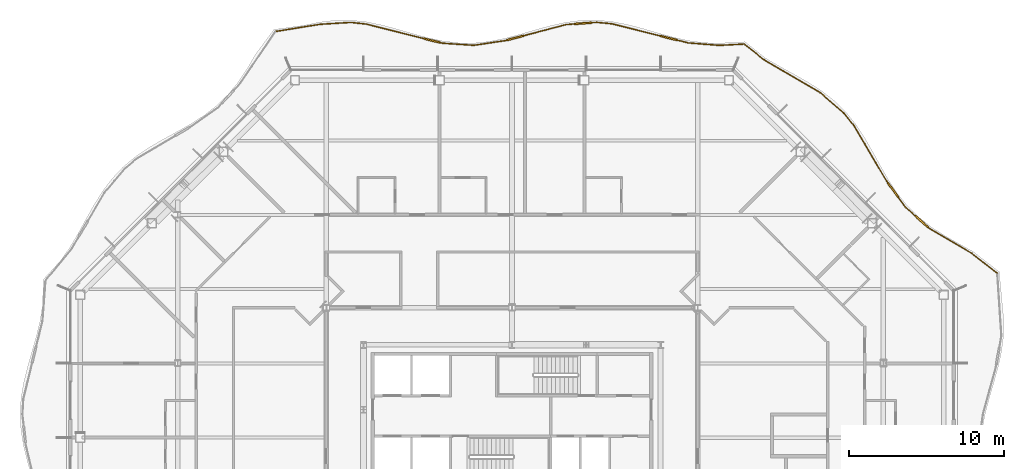
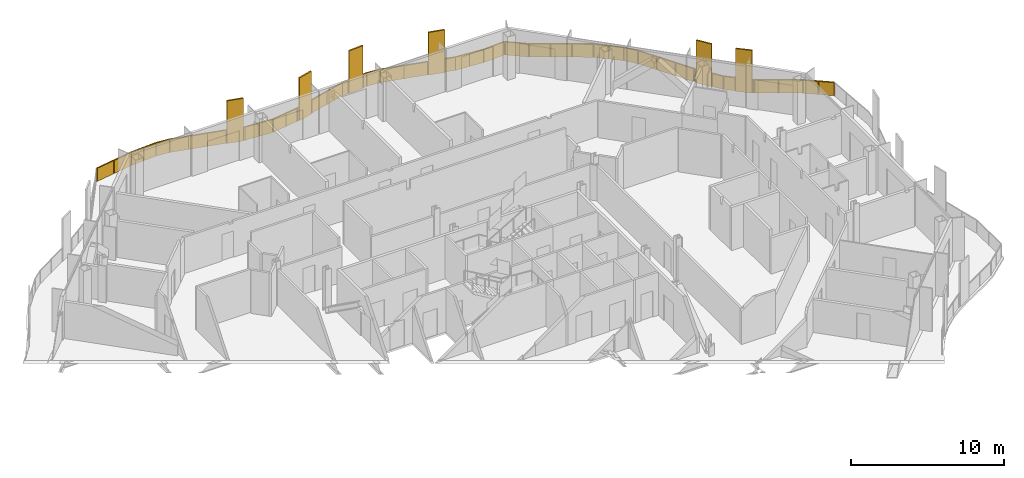
# One storey, part 20 of 20: 2 railings.
"""IFC4 building model written with IfcOpenShell, lengths in metres."""

import ifcopenshell
import ifcopenshell.guid

model = None  # the IFC model being written
_history = None  # IfcOwnerHistory: only IFC2X3 demands one
_inside = {}  # id of a spatial element -> (the spatial element, [elements in it])
_under = {}  # id of a project, library or spatial element -> (it, [spatial elements below it])
_declared = {}  # id of a project -> (the project, [libraries it declares])
_typed = {}  # id of a type object -> (the type object, [elements of that type])
_made_of = {}  # id of a material, layer set ... -> (it, [elements and type objects made of it])


def new_model(schema):
    """Start an empty IFC model of exactly this schema.

    Asked for "IFC4X3", IfcOpenShell would pick the latest addendum, in which some entities
    have other attributes; the version numbers below select the first issue.
    IFC2X3 requires an IfcOwnerHistory on every rooted entity: one is made here for all.
    """
    global model, _history
    if schema == "IFC4X3":
        model = ifcopenshell.file(schema_version=(4, 3, 0, 0))
    else:
        model = ifcopenshell.file(schema=schema)
    _inside.clear()
    _under.clear()
    _declared.clear()
    _typed.clear()
    _made_of.clear()
    _history = None
    if model.schema == "IFC2X3":
        org = make("IfcOrganization", Name="unknown")
        user = make(
            "IfcPersonAndOrganization",
            ThePerson=make("IfcPerson", FamilyName="unknown"),
            TheOrganization=org,
        )
        app = make(
            "IfcApplication",
            ApplicationDeveloper=org,
            Version="unknown",
            ApplicationFullName="unknown",
            ApplicationIdentifier="unknown",
        )
        _history = make(
            "IfcOwnerHistory",
            OwningUser=user,
            OwningApplication=app,
            ChangeAction="ADDED",
            CreationDate=0,
        )
    return model


def make(cls, **values):
    """One entity of the class cls with the attributes given. An attribute that is None is left unset."""
    return model.create_entity(
        cls, **{name: value for name, value in values.items() if value is not None}
    )


def rooted(cls, **values):
    """An entity with a GlobalId (a new one), such as an element, a storey or a relation."""
    return make(cls, GlobalId=ifcopenshell.guid.new(), OwnerHistory=_history, **values)


def si_unit(unit_type, name, prefix=None):
    """IfcSIUnit, for example si_unit("LENGTHUNIT", "METRE", prefix="MILLI")."""
    return make("IfcSIUnit", UnitType=unit_type, Prefix=prefix, Name=name)


def assignment(units):
    """IfcUnitAssignment: the units of a project."""
    return None if units is None else make("IfcUnitAssignment", Units=units)


def point(xyz):
    """IfcCartesianPoint."""
    return None if xyz is None else make("IfcCartesianPoint", Coordinates=xyz)


def direction(xyz):
    """IfcDirection."""
    return None if xyz is None else make("IfcDirection", DirectionRatios=xyz)


def frame(location, z_axis=None, x_axis=None):
    """IfcAxis2Placement3D, a coordinate frame: its origin and axes. An axis left out is left unset."""
    return make(
        "IfcAxis2Placement3D",
        Location=point(location),
        Axis=direction(z_axis),
        RefDirection=direction(x_axis),
    )


def frame_2d(location, x_axis=None):
    """IfcAxis2Placement2D, a coordinate frame in the plane: its origin and x axis."""
    return make(
        "IfcAxis2Placement2D", Location=point(location), RefDirection=direction(x_axis)
    )


def origin():
    """The frame at (0, 0, 0) with its axes left unset."""
    return frame((0.0, 0.0, 0.0))


def origin_2d():
    """The frame at (0, 0) in the plane with its x axis left unset."""
    return frame_2d((0.0, 0.0))


def place(relative_to, where):
    """IfcLocalPlacement: puts the frame where relative to a parent placement (None: the world)."""
    return make(
        "IfcLocalPlacement", PlacementRelTo=relative_to, RelativePlacement=where
    )


def context(
    kind, dimensions, precision=None, world=None, true_north=None, identifier=None
):
    """IfcGeometricRepresentationContext, for example the 3D "Model" context."""
    return make(
        "IfcGeometricRepresentationContext",
        ContextIdentifier=identifier,
        ContextType=kind,
        CoordinateSpaceDimension=dimensions,
        Precision=precision,
        WorldCoordinateSystem=world,
        TrueNorth=true_north,
    )


def subcontext(parent, identifier, kind, view, scale=None):
    """IfcGeometricRepresentationSubContext, for example "Body" below "Model"."""
    return make(
        "IfcGeometricRepresentationSubContext",
        ContextIdentifier=identifier,
        ContextType=kind,
        ParentContext=parent,
        TargetScale=scale,
        TargetView=view,
    )


def project(units=None, contexts=None):
    """IfcProject with its units and contexts."""
    return rooted(
        "IfcProject",
        Name="project",
        RepresentationContexts=contexts,
        UnitsInContext=assignment(units),
    )


def spatial(cls, under=None, at=None, **own):
    """A site, building, storey or space (cls), placed at a placement, below another one or the project."""
    s = rooted(cls, ObjectPlacement=at, **own)
    if under is not None:
        _under.setdefault(under.id(), (under, []))[1].append(s)
    return s


def polyline(points):
    """IfcPolyline through the points."""
    return make("IfcPolyline", Points=[point(p) for p in points])


def profile(cls, at=None, kind="AREA", **sizes):
    """A parametric profile (cls). Its sizes go by their IFC names, for example OverallWidth=200.0."""
    return make(cls, ProfileType=kind, Position=at, **sizes)


def rectangle(**sizes):
    """IfcRectangleProfileDef."""
    return profile("IfcRectangleProfileDef", **sizes)


def outline(outer, holes=None, kind="AREA"):
    """IfcArbitraryClosedProfileDef: a profile drawn as a closed curve; with holes, ...WithVoids."""
    if holes is None:
        return make("IfcArbitraryClosedProfileDef", ProfileType=kind, OuterCurve=outer)
    return make(
        "IfcArbitraryProfileDefWithVoids",
        ProfileType=kind,
        OuterCurve=outer,
        InnerCurves=holes,
    )


def extrude(swept, where, along, depth):
    """IfcExtrudedAreaSolid: the profile swept, set in the frame where, extruded along a direction by depth."""
    return make(
        "IfcExtrudedAreaSolid",
        SweptArea=swept,
        Position=where,
        ExtrudedDirection=direction(along),
        Depth=depth,
    )


def shape(context_of_items, identifier, shape_type, items):
    """IfcShapeRepresentation: the items that make up one representation, for example the "Body"."""
    return make(
        "IfcShapeRepresentation",
        ContextOfItems=context_of_items,
        RepresentationIdentifier=identifier,
        RepresentationType=shape_type,
        Items=items,
    )


def material(Name=None, Category=None):
    """IfcMaterial."""
    return make("IfcMaterial", Name=Name, Category=Category)


def made_of(thing, what):
    """Note that an element or type object is made of a material, layer set ...; save() writes the relation."""
    if what is not None:
        _made_of.setdefault(what.id(), (what, []))[1].append(thing)
    return thing


def type_object(cls, material=None, **own):
    """A type object (cls), such as IfcWallType, which elements share."""
    return made_of(rooted(cls, **own), material)


def element(
    cls,
    number,
    at=None,
    inside=None,
    cuts=None,
    type_object=None,
    material=None,
    context=None,
    identifier="Body",
    shape_type=None,
    held_by="IfcProductDefinitionShape",
    body=None,
    shapes=None,
    **own,
):
    """One element of the class cls, such as IfcWall. Its Tag is "e" and its number.

    at: its placement. inside: the storey or other place that contains it. cuts: it is an
    opening in that element (IfcRelVoidsElement). A single representation is given by context,
    identifier, shape_type and body (its items); several are given by shapes. held_by: the class
    of the entity that holds the representations. save() writes the other relations.
    """
    e = rooted(cls, Tag="e%d" % number, ObjectPlacement=at, **own)
    if body is not None:
        shapes = [shape(context, identifier, shape_type, body)]
    if shapes is not None:
        e.Representation = make(held_by, Representations=shapes)
    if inside is not None:
        _inside.setdefault(inside.id(), (inside, []))[1].append(e)
    if cuts is not None:
        rooted(
            "IfcRelVoidsElement", RelatingBuildingElement=cuts, RelatedOpeningElement=e
        )
    if type_object is not None:
        _typed.setdefault(type_object.id(), (type_object, []))[1].append(e)
    return made_of(e, material)


def aggregate(whole, parts):
    """IfcRelAggregates: a whole, such as a stair, and the parts it consists of."""
    return rooted("IfcRelAggregates", RelatingObject=whole, RelatedObjects=parts)


def save(model, path):
    """Write the relations noted so far, then the file.

    IfcRelAggregates (storeys below a building ...), IfcRelContainedInSpatialStructure (elements
    in a storey), IfcRelDefinesByType, IfcRelAssociatesMaterial and IfcRelDeclares: one each for
    every whole, place, type object, material and project.
    """
    for whole, parts in _under.values():
        aggregate(whole, parts)
    for where, things in _inside.values():
        rooted(
            "IfcRelContainedInSpatialStructure",
            RelatedElements=things,
            RelatingStructure=where,
        )
    for kind, things in _typed.values():
        rooted("IfcRelDefinesByType", RelatedObjects=things, RelatingType=kind)
    for what, things in _made_of.values():
        rooted("IfcRelAssociatesMaterial", RelatedObjects=things, RelatingMaterial=what)
    for by, libraries in _declared.values():
        rooted("IfcRelDeclares", RelatingContext=by, RelatedDefinitions=libraries)
    model.write(path)


model = new_model("IFC4")

# Units and contexts
model_context = context("Model", 3, precision=1e-05, world=origin(), true_north=direction((0.0, 1.0)))
body_context = subcontext(model_context, "Body", "Model", "MODEL_VIEW")
ifc_project = project(units=[si_unit("LENGTHUNIT", "METRE"), si_unit("AREAUNIT", "SQUARE_METRE"), si_unit("VOLUMEUNIT", "CUBIC_METRE"), si_unit("PLANEANGLEUNIT", "RADIAN"), si_unit("MASSUNIT", "GRAM", prefix="KILO")], contexts=[model_context])

# Site, building, storey
site_placement = place(None, origin())
site = spatial("IfcSite", under=ifc_project, at=site_placement, CompositionType="ELEMENT")
building_placement = place(site_placement, origin())
building = spatial("IfcBuilding", under=site, at=building_placement, Name="Cairn Pilgrim Tower", CompositionType="ELEMENT")
storey_placement = place(building_placement, frame((0.0, 0.0, 165.0)))
storey = spatial("IfcBuildingStorey", under=building, at=storey_placement, Name="L41", CompositionType="ELEMENT", Elevation=165.0)

# Railings
ifc_material = material(Name="Bronze anodised aluminium rail, posts and fin screens with laminated glass infill", Category="aluminium")
railing_type = type_object("IfcRailingType", Name="BALCONY GUARD WITH FIN SCREENS", PredefinedType="GUARDRAIL", material=ifc_material)
railing_1_placement = place(storey_placement, frame((38.553955078125, 15.44091796875, 0.0)))
element("IfcRailing", 1, at=railing_1_placement, inside=storey, type_object=railing_type, Name="Balcony guard BGF-4 with fin screens", PredefinedType="GUARDRAIL", context=body_context, shape_type="SweptSolid", body=[
    extrude(rectangle(XDim=0.050048828125, YDim=0.050048828125, at=origin_2d()), frame((0.0, 0.0, 1.0751953125), z_axis=(-0.789984986804, 0.613126186543, 0.0), x_axis=(-0.613126186543, -0.789984986804, 0.0)), (0.0, 0.0, 1.0), 2.076171875),
    extrude(rectangle(XDim=0.050048828125, YDim=0.050048828125, at=origin_2d()), frame((-1.64013671875, 1.27294921875, 1.0751953125), z_axis=(-0.862112873703, 0.506716284517, 0.0), x_axis=(-0.506716284517, -0.862112873703, 0.0)), (0.0, 0.0, 1.0), 3.16064453125),
    extrude(rectangle(XDim=1.10009765625, YDim=0.110107421875, at=origin_2d()), frame((-4.88916015625, 3.338623046875, 0.0), z_axis=(0.0, 0.0, 1.0), x_axis=(-0.748708517903, 0.662899355272, 0.0)), (0.0, 0.0, 1.0), 3.39990234375),
    extrude(rectangle(XDim=0.050048828125, YDim=0.050048828125, at=origin_2d()), frame((-4.364990234375, 2.87451171875, 1.0751953125), z_axis=(-0.748708517903, 0.662899355272, 0.0), x_axis=(-0.662899355272, -0.748708517903, 0.0)), (0.0, 0.0, 1.0), 0.150146484375),
    extrude(rectangle(XDim=0.050048828125, YDim=0.050048828125, at=origin_2d()), frame((-5.301025390625, 3.703369140625, 1.0751953125), z_axis=(-0.748708517903, 0.662899355272, 0.0), x_axis=(-0.662899355272, -0.748708517903, 0.0)), (0.0, 0.0, 1.0), 0.821044921875),
    extrude(rectangle(XDim=1.10009765625, YDim=0.110107421875, at=origin_2d()), frame((-6.72998046875, 5.36865234375, 0.0), z_axis=(0.0, 0.0, 1.0), x_axis=(-0.587698248928, 0.809080198872, 0.0)), (0.0, 0.0, 1.0), 3.39990234375),
    extrude(rectangle(XDim=0.050048828125, YDim=0.050048828125, at=origin_2d()), frame((-5.915771484375, 4.24755859375, 1.0751953125), z_axis=(-0.587698248928, 0.809080198872, 0.0), x_axis=(-0.809080198872, -0.587698248928, 0.0)), (0.0, 0.0, 1.0), 0.835693359375),
    extrude(rectangle(XDim=0.050048828125, YDim=0.050048828125, at=origin_2d()), frame((-7.05322265625, 5.813720703125, 1.0751953125), z_axis=(-0.587698248928, 0.809080198872, 0.0), x_axis=(-0.809080198872, -0.587698248928, 0.0)), (0.0, 0.0, 1.0), 0.14990234375),
    extrude(rectangle(XDim=0.050048828125, YDim=0.050048828125, at=origin_2d()), frame((-7.141357421875, 5.934814453125, 1.0751953125), z_axis=(-0.508004914675, 0.861354170284, 0.0), x_axis=(-0.861354170284, -0.508004914675, 0.0)), (0.0, 0.0, 1.0), 4.2021484375),
    extrude(rectangle(XDim=0.050048828125, YDim=0.050048828125, at=origin_2d()), frame((-9.276123046875, 9.554443359375, 1.0751953125), z_axis=(-0.631493491772, 0.775381177131, 0.0), x_axis=(-0.775381177131, -0.631493491772, 0.0)), (0.0, 0.0, 1.0), 0.999267578125),
    extrude(rectangle(XDim=0.050048828125, YDim=0.050048828125, at=origin_2d()), frame((-9.9072265625, 10.329345703125, 1.0751953125), z_axis=(-0.754203567869, 0.656640676637, 0.0), x_axis=(-0.656640676637, -0.754203567869, 0.0)), (0.0, 0.0, 1.0), 2.014404296875),
    extrude(rectangle(XDim=0.050048828125, YDim=0.050048828125, at=origin_2d()), frame((-11.426513671875, 11.652099609375, 1.0751953125), z_axis=(-0.863224821257, 0.504819678663, 0.0), x_axis=(-0.504819678663, -0.863224821257, 0.0)), (0.0, 0.0, 1.0), 4.20703125),
    extrude(rectangle(XDim=0.050048828125, YDim=0.050048828125, at=origin_2d()), frame((-15.05810546875, 13.77587890625, 1.0751953125), z_axis=(-0.78277699912, 0.62230231371, 0.0), x_axis=(-0.62230231371, -0.78277699912, 0.0)), (0.0, 0.0, 1.0), 1.582275390625),
    extrude(rectangle(XDim=0.050048828125, YDim=0.050048828125, at=origin_2d()), origin(), (0.0, 0.0, 1.0), 1.050048828125),
    extrude(rectangle(XDim=0.050048828125, YDim=0.050048828125, at=origin_2d()), frame((-0.820068359375, 0.636474609375, 0.0)), (0.0, 0.0, 1.0), 1.050048828125),
    extrude(rectangle(XDim=0.050048828125, YDim=0.050048828125, at=origin_2d()), frame((-1.64013671875, 1.27294921875, 0.0)), (0.0, 0.0, 1.0), 1.050048828125),
    extrude(rectangle(XDim=0.050048828125, YDim=0.050048828125, at=origin_2d()), frame((-3.00244140625, 2.07373046875, 0.0)), (0.0, 0.0, 1.0), 1.050048828125),
    extrude(rectangle(XDim=0.050048828125, YDim=0.050048828125, at=origin_2d()), frame((-4.364990234375, 2.87451171875, 0.0)), (0.0, 0.0, 1.0), 1.050048828125),
    extrude(rectangle(XDim=0.050048828125, YDim=0.050048828125, at=origin_2d()), frame((-4.458740234375, 2.95751953125, 0.0)), (0.0, 0.0, 1.0), 1.050048828125),
    extrude(rectangle(XDim=0.050048828125, YDim=0.050048828125, at=origin_2d()), frame((-5.31982421875, 3.7197265625, 0.0)), (0.0, 0.0, 1.0), 1.050048828125),
    extrude(rectangle(XDim=0.050048828125, YDim=0.050048828125, at=origin_2d()), frame((-5.915771484375, 4.24755859375, 0.0)), (0.0, 0.0, 1.0), 1.050048828125),
    extrude(rectangle(XDim=0.050048828125, YDim=0.050048828125, at=origin_2d()), frame((-6.39208984375, 4.9033203125, 0.0)), (0.0, 0.0, 1.0), 1.050048828125),
    extrude(rectangle(XDim=0.050048828125, YDim=0.050048828125, at=origin_2d()), frame((-7.068115234375, 5.833740234375, 0.0)), (0.0, 0.0, 1.0), 1.050048828125),
    extrude(rectangle(XDim=0.050048828125, YDim=0.050048828125, at=origin_2d()), frame((-7.141357421875, 5.934814453125, 0.0)), (0.0, 0.0, 1.0), 1.050048828125),
    extrude(rectangle(XDim=0.050048828125, YDim=0.050048828125, at=origin_2d()), frame((-7.85302734375, 7.141357421875, 0.0)), (0.0, 0.0, 1.0), 1.050048828125),
    extrude(rectangle(XDim=0.050048828125, YDim=0.050048828125, at=origin_2d()), frame((-8.564453125, 8.347900390625, 0.0)), (0.0, 0.0, 1.0), 1.050048828125),
    extrude(rectangle(XDim=0.050048828125, YDim=0.050048828125, at=origin_2d()), frame((-9.276123046875, 9.554443359375, 0.0)), (0.0, 0.0, 1.0), 1.050048828125),
    extrude(rectangle(XDim=0.050048828125, YDim=0.050048828125, at=origin_2d()), frame((-9.9072265625, 10.329345703125, 0.0)), (0.0, 0.0, 1.0), 1.050048828125),
    extrude(rectangle(XDim=0.050048828125, YDim=0.050048828125, at=origin_2d()), frame((-10.6669921875, 10.99072265625, 0.0)), (0.0, 0.0, 1.0), 1.050048828125),
    extrude(rectangle(XDim=0.050048828125, YDim=0.050048828125, at=origin_2d()), frame((-11.426513671875, 11.652099609375, 0.0)), (0.0, 0.0, 1.0), 1.050048828125),
    extrude(rectangle(XDim=0.050048828125, YDim=0.050048828125, at=origin_2d()), frame((-12.636962890625, 12.360107421875, 0.0)), (0.0, 0.0, 1.0), 1.050048828125),
    extrude(rectangle(XDim=0.050048828125, YDim=0.050048828125, at=origin_2d()), frame((-13.84765625, 13.06787109375, 0.0)), (0.0, 0.0, 1.0), 1.050048828125),
    extrude(rectangle(XDim=0.050048828125, YDim=0.050048828125, at=origin_2d()), frame((-15.05810546875, 13.77587890625, 0.0)), (0.0, 0.0, 1.0), 1.050048828125),
    extrude(rectangle(XDim=0.050048828125, YDim=0.050048828125, at=origin_2d()), frame((-16.296630859375, 14.760498046875, 0.0)), (0.0, 0.0, 1.0), 1.050048828125),
    extrude(outline(polyline([(0.02490234375, 0.0), (1.012939453125, 0.0), (1.012939453125, 1.050048828125), (0.02490234375, 1.050048828125), (0.02490234375, 0.0)])), frame((-0.003662109375, -0.004638671875, 0.0), z_axis=(0.613126186543, 0.789984986804, 0.0), x_axis=(-0.789984986804, 0.613126186543, 0.0)), (0.0, 0.0, 1.0), 0.011962890625),
    extrude(outline(polyline([(0.02490234375, 0.0), (1.012939453125, 0.0), (1.012939453125, 1.050048828125), (0.02490234375, 1.050048828125), (0.02490234375, 0.0)])), frame((-0.82373046875, 0.6318359375, 0.0), z_axis=(0.613126186543, 0.789984986804, 0.0), x_axis=(-0.789984986804, 0.613126186543, 0.0)), (0.0, 0.0, 1.0), 0.011962890625),
    extrude(outline(polyline([(0.02490234375, 0.0), (1.555419921875, 0.0), (1.555419921875, 1.050048828125), (0.02490234375, 1.050048828125), (0.02490234375, 0.0)])), frame((-1.64306640625, 1.267822265625, 0.0), z_axis=(0.506716284517, 0.862112873703, 0.0), x_axis=(-0.862112873703, 0.506716284517, 0.0)), (0.0, 0.0, 1.0), 0.011962890625),
    extrude(outline(polyline([(0.02490234375, 0.0), (1.555419921875, 0.0), (1.555419921875, 1.050048828125), (0.02490234375, 1.050048828125), (0.02490234375, 0.0)])), frame((-3.005615234375, 2.068603515625, 0.0), z_axis=(0.506716284517, 0.862112873703, 0.0), x_axis=(-0.862112873703, 0.506716284517, 0.0)), (0.0, 0.0, 1.0), 0.011962890625),
    extrude(outline(polyline([(0.02490234375, 0.0), (0.10009765625, 0.0), (0.10009765625, 1.050048828125), (0.02490234375, 1.050048828125), (0.02490234375, 0.0)])), frame((-4.368896484375, 2.8701171875, 0.0), z_axis=(0.662899355272, 0.748708517903, 0.0), x_axis=(-0.748708517903, 0.662899355272, 0.0)), (0.0, 0.0, 1.0), 0.011962890625),
    extrude(outline(polyline([(0.02490234375, 0.0), (0.77099609375, 0.0), (0.77099609375, 1.050048828125), (0.02490234375, 1.050048828125), (0.02490234375, 0.0)])), frame((-5.32373046875, 3.71533203125, 0.0), z_axis=(0.662899355272, 0.748708517903, 0.0), x_axis=(-0.748708517903, 0.662899355272, 0.0)), (0.0, 0.0, 1.0), 0.011962890625),
    extrude(outline(polyline([(0.02490234375, 0.0), (0.78564453125, 0.0), (0.78564453125, 1.050048828125), (0.02490234375, 1.050048828125), (0.02490234375, 0.0)])), frame((-5.920654296875, 4.244140625, 0.0), z_axis=(0.809080198872, 0.587698248928, 0.0), x_axis=(-0.587698248928, 0.809080198872, 0.0)), (0.0, 0.0, 1.0), 0.011962890625),
    extrude(outline(polyline([(0.02490234375, 0.0), (0.099853515625, 0.0), (0.099853515625, 1.050048828125), (0.02490234375, 1.050048828125), (0.02490234375, 0.0)])), frame((-7.07275390625, 5.830322265625, 0.0), z_axis=(0.809080198872, 0.587698248928, 0.0), x_axis=(-0.587698248928, 0.809080198872, 0.0)), (0.0, 0.0, 1.0), 0.011962890625),
    extrude(outline(polyline([(0.02490234375, 0.0), (1.375732421875, 0.0), (1.375732421875, 1.050048828125), (0.02490234375, 1.050048828125), (0.02490234375, 0.0)])), frame((-7.146484375, 5.931884765625, 0.0), z_axis=(0.861354170284, 0.508004914675, 0.0), x_axis=(-0.508004914675, 0.861354170284, 0.0)), (0.0, 0.0, 1.0), 0.011962890625),
    extrude(outline(polyline([(0.02490234375, 0.0), (1.375732421875, 0.0), (1.375732421875, 1.050048828125), (0.02490234375, 1.050048828125), (0.02490234375, 0.0)])), frame((-7.858154296875, 7.138427734375, 0.0), z_axis=(0.861354170284, 0.508004914675, 0.0), x_axis=(-0.508004914675, 0.861354170284, 0.0)), (0.0, 0.0, 1.0), 0.011962890625),
    extrude(outline(polyline([(0.02490234375, 0.0), (1.375732421875, 0.0), (1.375732421875, 1.050048828125), (0.02490234375, 1.050048828125), (0.02490234375, 0.0)])), frame((-8.569580078125, 8.344970703125, 0.0), z_axis=(0.861354170284, 0.508004914675, 0.0), x_axis=(-0.508004914675, 0.861354170284, 0.0)), (0.0, 0.0, 1.0), 0.011962890625),
    extrude(outline(polyline([(0.02490234375, 0.0), (0.974365234375, 0.0), (0.974365234375, 1.050048828125), (0.02490234375, 1.050048828125), (0.02490234375, 0.0)])), frame((-9.28076171875, 9.55078125, 0.0), z_axis=(0.775381177131, 0.631493491772, 0.0), x_axis=(-0.631493491772, 0.775381177131, 0.0)), (0.0, 0.0, 1.0), 0.011962890625),
    extrude(outline(polyline([(0.02490234375, 0.0), (0.982177734375, 0.0), (0.982177734375, 1.050048828125), (0.02490234375, 1.050048828125), (0.02490234375, 0.0)])), frame((-9.9111328125, 10.324951171875, 0.0), z_axis=(0.656640676637, 0.754203567869, 0.0), x_axis=(-0.754203567869, 0.656640676637, 0.0)), (0.0, 0.0, 1.0), 0.011962890625),
    extrude(outline(polyline([(0.02490234375, 0.0), (0.982177734375, 0.0), (0.982177734375, 1.050048828125), (0.02490234375, 1.050048828125), (0.02490234375, 0.0)])), frame((-10.6708984375, 10.986328125, 0.0), z_axis=(0.656640676637, 0.754203567869, 0.0), x_axis=(-0.754203567869, 0.656640676637, 0.0)), (0.0, 0.0, 1.0), 0.011962890625),
    extrude(outline(polyline([(0.02490234375, 0.0), (1.377197265625, 0.0), (1.377197265625, 1.050048828125), (0.02490234375, 1.050048828125), (0.02490234375, 0.0)])), frame((-11.429443359375, 11.64697265625, 0.0), z_axis=(0.504819678663, 0.863224821257, 0.0), x_axis=(-0.863224821257, 0.504819678663, 0.0)), (0.0, 0.0, 1.0), 0.011962890625),
    extrude(outline(polyline([(0.02490234375, 0.0), (1.377197265625, 0.0), (1.377197265625, 1.050048828125), (0.02490234375, 1.050048828125), (0.02490234375, 0.0)])), frame((-12.64013671875, 12.35498046875, 0.0), z_axis=(0.504819678663, 0.863224821257, 0.0), x_axis=(-0.863224821257, 0.504819678663, 0.0)), (0.0, 0.0, 1.0), 0.011962890625),
    extrude(outline(polyline([(0.02490234375, 0.0), (1.377197265625, 0.0), (1.377197265625, 1.050048828125), (0.02490234375, 1.050048828125), (0.02490234375, 0.0)])), frame((-13.8505859375, 13.062744140625, 0.0), z_axis=(0.504819678663, 0.863224821257, 0.0), x_axis=(-0.863224821257, 0.504819678663, 0.0)), (0.0, 0.0, 1.0), 0.011962890625),
    extrude(outline(polyline([(0.02490234375, 0.0), (1.55712890625, 0.0), (1.55712890625, 1.050048828125), (0.02490234375, 1.050048828125), (0.02490234375, 0.0)])), frame((-15.061767578125, 13.771240234375, 0.0), z_axis=(0.62230231371, 0.78277699912, 0.0), x_axis=(-0.78277699912, 0.62230231371, 0.0)), (0.0, 0.0, 1.0), 0.011962890625),
])
railing_2_placement = place(storey_placement, frame((22.21044921875, 30.23876953125, 0.0)))
element("IfcRailing", 2, at=railing_2_placement, inside=storey, type_object=railing_type, Name="Balcony guard BGF-5 with fin screens", PredefinedType="GUARDRAIL", context=body_context, shape_type="SweptSolid", body=[
    extrude(rectangle(XDim=0.050048828125, YDim=0.050048828125, at=origin_2d()), frame((0.0, 0.0, 1.0751953125), z_axis=(-0.998610688741, -0.052694329226, 0.0), x_axis=(0.052694329226, -0.998610688741, 0.0)), (0.0, 0.0, 1.0), 1.607666015625),
    extrude(rectangle(XDim=0.050048828125, YDim=0.050048828125, at=origin_2d()), frame((-1.60546875, -0.084716796875, 1.0751953125), z_axis=(-0.996845642302, 0.079364761846, 0.0), x_axis=(-0.079364761846, -0.996845642302, 0.0)), (0.0, 0.0, 1.0), 2.014892578125),
    extrude(rectangle(XDim=1.10009765625, YDim=0.110107421875, at=origin_2d()), frame((-4.89111328125, 0.3935546875, 0.0), z_axis=(0.0, 0.0, 1.0), x_axis=(-0.970296617056, 0.241918322849, 0.0)), (0.0, 0.0, 1.0), 3.39990234375),
    extrude(rectangle(XDim=0.050048828125, YDim=0.050048828125, at=origin_2d()), frame((-3.614013671875, 0.0751953125, 1.0751953125), z_axis=(-0.970296617056, 0.241918322849, 0.0), x_axis=(-0.241918322849, -0.970296617056, 0.0)), (0.0, 0.0, 1.0), 0.76611328125),
    extrude(rectangle(XDim=0.050048828125, YDim=0.050048828125, at=origin_2d()), frame((-5.4248046875, 0.526611328125, 1.0751953125), z_axis=(-0.970296617056, 0.241918322849, 0.0), x_axis=(-0.241918322849, -0.970296617056, 0.0)), (0.0, 0.0, 1.0), 3.25244140625),
    extrude(rectangle(XDim=0.050048828125, YDim=0.050048828125, at=origin_2d()), frame((-8.58056640625, 1.3134765625, 1.0751953125), z_axis=(-0.995638594988, 0.093294095047, 0.0), x_axis=(-0.093294095047, -0.995638594988, 0.0)), (0.0, 0.0, 1.0), 0.973388671875),
    extrude(rectangle(XDim=1.10009765625, YDim=0.110107421875, at=origin_2d()), frame((-10.433349609375, 1.33935546875, 0.0), z_axis=(0.0, 0.0, 1.0), x_axis=(-0.997301208337, -0.073418661451, 0.0)), (0.0, 0.0, 1.0), 3.39990234375),
    extrude(rectangle(XDim=0.050048828125, YDim=0.050048828125, at=origin_2d()), frame((-9.5498046875, 1.404296875, 1.0751953125), z_axis=(-0.997301208337, -0.073418661451, 0.0), x_axis=(0.073418661451, -0.997301208337, 0.0)), (0.0, 0.0, 1.0), 0.3359375),
    extrude(rectangle(XDim=0.050048828125, YDim=0.050048828125, at=origin_2d()), frame((-10.981689453125, 1.298828125, 1.0751953125), z_axis=(-0.997301208337, -0.073418661451, 0.0), x_axis=(0.073418661451, -0.997301208337, 0.0)), (0.0, 0.0, 1.0), 0.529541015625),
    extrude(rectangle(XDim=1.10009765625, YDim=0.110107421875, at=origin_2d()), frame((-14.7998046875, 0.39501953125, 0.0), z_axis=(0.0, 0.0, 1.0), x_axis=(-0.967133876349, -0.254267703844, 0.0)), (0.0, 0.0, 1.0), 3.39990234375),
    extrude(rectangle(XDim=0.050048828125, YDim=0.050048828125, at=origin_2d()), frame((-11.509765625, 1.260009765625, 1.0751953125), z_axis=(-0.967133876349, -0.254267703844, 0.0), x_axis=(0.254267703844, -0.967133876349, 0.0)), (0.0, 0.0, 1.0), 2.851806640625),
    extrude(rectangle(XDim=0.050048828125, YDim=0.050048828125, at=origin_2d()), frame((-15.33154296875, 0.255126953125, 1.0751953125), z_axis=(-0.967133876349, -0.254267703844, 0.0), x_axis=(0.254267703844, -0.967133876349, 0.0)), (0.0, 0.0, 1.0), 0.150146484375),
    extrude(rectangle(XDim=0.050048828125, YDim=0.050048828125, at=origin_2d()), frame((-15.476806640625, 0.217041015625, 1.0751953125), z_axis=(-0.989203462354, -0.146548661089, 0.0), x_axis=(0.146548661089, -0.989203462354, 0.0)), (0.0, 0.0, 1.0), 2.032470703125),
    extrude(rectangle(XDim=0.050048828125, YDim=0.050048828125, at=origin_2d()), frame((-17.4873046875, -0.080810546875, 1.0751953125), z_axis=(-0.99772377999, 0.067433365944, 0.0), x_axis=(-0.067433365944, -0.99772377999, 0.0)), (0.0, 0.0, 1.0), 2.020263671875),
    extrude(rectangle(XDim=1.10009765625, YDim=0.110107421875, at=origin_2d()), frame((-20.181884765625, 0.22509765625, 0.0), z_axis=(0.0, 0.0, 1.0), x_axis=(-0.970159323814, 0.242468320438, 0.0)), (0.0, 0.0, 1.0), 3.39990234375),
    extrude(rectangle(XDim=0.050048828125, YDim=0.050048828125, at=origin_2d()), frame((-19.5029296875, 0.055419921875, 1.0751953125), z_axis=(-0.970159323814, 0.242468320438, 0.0), x_axis=(-0.242468320438, -0.970159323814, 0.0)), (0.0, 0.0, 1.0), 0.14990234375),
    extrude(rectangle(XDim=0.050048828125, YDim=0.050048828125, at=origin_2d()), frame((-20.715576171875, 0.3583984375, 1.0751953125), z_axis=(-0.970159323814, 0.242468320438, 0.0), x_axis=(-0.242468320438, -0.970159323814, 0.0)), (0.0, 0.0, 1.0), 3.871337890625),
    extrude(rectangle(XDim=0.050048828125, YDim=0.050048828125, at=origin_2d()), frame((-24.47119140625, 1.297119140625, 1.0751953125), z_axis=(-0.994487612581, 0.104854129258, 0.0), x_axis=(-0.104854129258, -0.994487612581, 0.0)), (0.0, 0.0, 1.0), 0.9755859375),
    extrude(rectangle(XDim=0.050048828125, YDim=0.050048828125, at=origin_2d()), frame((-25.44140625, 1.3994140625, 1.0751953125), z_axis=(-0.998109063646, -0.061467853932, 0.0), x_axis=(0.061467853932, -0.998109063646, 0.0)), (0.0, 0.0, 1.0), 1.969970703125),
    extrude(rectangle(XDim=0.050048828125, YDim=0.050048828125, at=origin_2d()), frame((-27.40771484375, 1.2783203125, 1.0751953125), z_axis=(-0.987312348881, -0.158790194113, 0.0), x_axis=(0.158790194113, -0.987312348881, 0.0)), (0.0, 0.0, 1.0), 2.88134765625),
    extrude(rectangle(XDim=0.050048828125, YDim=0.050048828125, at=origin_2d()), origin(), (0.0, 0.0, 1.0), 1.050048828125),
    extrude(rectangle(XDim=0.050048828125, YDim=0.050048828125, at=origin_2d()), frame((-1.60546875, -0.084716796875, 0.0)), (0.0, 0.0, 1.0), 1.050048828125),
    extrude(rectangle(XDim=0.050048828125, YDim=0.050048828125, at=origin_2d()), frame((-2.60986328125, -0.0048828125, 0.0)), (0.0, 0.0, 1.0), 1.050048828125),
    extrude(rectangle(XDim=0.050048828125, YDim=0.050048828125, at=origin_2d()), frame((-3.614013671875, 0.0751953125, 0.0)), (0.0, 0.0, 1.0), 1.050048828125),
    extrude(rectangle(XDim=0.050048828125, YDim=0.050048828125, at=origin_2d()), frame((-4.333251953125, 0.25439453125, 0.0)), (0.0, 0.0, 1.0), 1.050048828125),
    extrude(rectangle(XDim=0.050048828125, YDim=0.050048828125, at=origin_2d()), frame((-5.448974609375, 0.53271484375, 0.0)), (0.0, 0.0, 1.0), 1.050048828125),
    extrude(rectangle(XDim=0.050048828125, YDim=0.050048828125, at=origin_2d()), frame((-7.014892578125, 0.923095703125, 0.0)), (0.0, 0.0, 1.0), 1.050048828125),
    extrude(rectangle(XDim=0.050048828125, YDim=0.050048828125, at=origin_2d()), frame((-8.58056640625, 1.3134765625, 0.0)), (0.0, 0.0, 1.0), 1.050048828125),
    extrude(rectangle(XDim=0.050048828125, YDim=0.050048828125, at=origin_2d()), frame((-9.5498046875, 1.404296875, 0.0)), (0.0, 0.0, 1.0), 1.050048828125),
    extrude(rectangle(XDim=0.050048828125, YDim=0.050048828125, at=origin_2d()), frame((-9.85986328125, 1.381591796875, 0.0)), (0.0, 0.0, 1.0), 1.050048828125),
    extrude(rectangle(XDim=0.050048828125, YDim=0.050048828125, at=origin_2d()), frame((-11.006591796875, 1.297119140625, 0.0)), (0.0, 0.0, 1.0), 1.050048828125),
    extrude(rectangle(XDim=0.050048828125, YDim=0.050048828125, at=origin_2d()), frame((-11.509765625, 1.260009765625, 0.0)), (0.0, 0.0, 1.0), 1.050048828125),
    extrude(rectangle(XDim=0.050048828125, YDim=0.050048828125, at=origin_2d()), frame((-12.876708984375, 0.900634765625, 0.0)), (0.0, 0.0, 1.0), 1.050048828125),
    extrude(rectangle(XDim=0.050048828125, YDim=0.050048828125, at=origin_2d()), frame((-14.24365234375, 0.541259765625, 0.0)), (0.0, 0.0, 1.0), 1.050048828125),
    extrude(rectangle(XDim=0.050048828125, YDim=0.050048828125, at=origin_2d()), frame((-15.35595703125, 0.248779296875, 0.0)), (0.0, 0.0, 1.0), 1.050048828125),
    extrude(rectangle(XDim=0.050048828125, YDim=0.050048828125, at=origin_2d()), frame((-15.476806640625, 0.217041015625, 0.0)), (0.0, 0.0, 1.0), 1.050048828125),
    extrude(rectangle(XDim=0.050048828125, YDim=0.050048828125, at=origin_2d()), frame((-16.48193359375, 0.068115234375, 0.0)), (0.0, 0.0, 1.0), 1.050048828125),
    extrude(rectangle(XDim=0.050048828125, YDim=0.050048828125, at=origin_2d()), frame((-17.4873046875, -0.080810546875, 0.0)), (0.0, 0.0, 1.0), 1.050048828125),
    extrude(rectangle(XDim=0.050048828125, YDim=0.050048828125, at=origin_2d()), frame((-18.4951171875, -0.0126953125, 0.0)), (0.0, 0.0, 1.0), 1.050048828125),
    extrude(rectangle(XDim=0.050048828125, YDim=0.050048828125, at=origin_2d()), frame((-19.5029296875, 0.055419921875, 0.0)), (0.0, 0.0, 1.0), 1.050048828125),
    extrude(rectangle(XDim=0.050048828125, YDim=0.050048828125, at=origin_2d()), frame((-19.6240234375, 0.085693359375, 0.0)), (0.0, 0.0, 1.0), 1.050048828125),
    extrude(rectangle(XDim=0.050048828125, YDim=0.050048828125, at=origin_2d()), frame((-20.73974609375, 0.364501953125, 0.0)), (0.0, 0.0, 1.0), 1.050048828125),
    extrude(rectangle(XDim=0.050048828125, YDim=0.050048828125, at=origin_2d()), frame((-21.983642578125, 0.67529296875, 0.0)), (0.0, 0.0, 1.0), 1.050048828125),
    extrude(rectangle(XDim=0.050048828125, YDim=0.050048828125, at=origin_2d()), frame((-23.227294921875, 0.986328125, 0.0)), (0.0, 0.0, 1.0), 1.050048828125),
    extrude(rectangle(XDim=0.050048828125, YDim=0.050048828125, at=origin_2d()), frame((-24.47119140625, 1.297119140625, 0.0)), (0.0, 0.0, 1.0), 1.050048828125),
    extrude(rectangle(XDim=0.050048828125, YDim=0.050048828125, at=origin_2d()), frame((-25.44140625, 1.3994140625, 0.0)), (0.0, 0.0, 1.0), 1.050048828125),
    extrude(rectangle(XDim=0.050048828125, YDim=0.050048828125, at=origin_2d()), frame((-26.424560546875, 1.3388671875, 0.0)), (0.0, 0.0, 1.0), 1.050048828125),
    extrude(rectangle(XDim=0.050048828125, YDim=0.050048828125, at=origin_2d()), frame((-27.40771484375, 1.2783203125, 0.0)), (0.0, 0.0, 1.0), 1.050048828125),
    extrude(rectangle(XDim=0.050048828125, YDim=0.050048828125, at=origin_2d()), frame((-28.830078125, 1.049560546875, 0.0)), (0.0, 0.0, 1.0), 1.050048828125),
    extrude(rectangle(XDim=0.050048828125, YDim=0.050048828125, at=origin_2d()), frame((-30.25244140625, 0.82080078125, 0.0)), (0.0, 0.0, 1.0), 1.050048828125),
    extrude(outline(polyline([(0.02490234375, 0.0), (1.582763671875, 0.0), (1.582763671875, 1.050048828125), (0.02490234375, 1.050048828125), (0.02490234375, 0.0)])), frame((0.000244140625, -0.005859375, 0.0), z_axis=(-0.052694329226, 0.998610688741, 0.0), x_axis=(-0.998610688741, -0.052694329226, 0.0)), (0.0, 0.0, 1.0), 0.011962890625),
    extrude(outline(polyline([(0.02490234375, 0.0), (0.982421875, 0.0), (0.982421875, 1.050048828125), (0.02490234375, 1.050048828125), (0.02490234375, 0.0)])), frame((-1.60595703125, -0.090576171875, 0.0), z_axis=(0.079364761846, 0.996845642302, 0.0), x_axis=(-0.996845642302, 0.079364761846, 0.0)), (0.0, 0.0, 1.0), 0.011962890625),
    extrude(outline(polyline([(0.02490234375, 0.0), (0.982421875, 0.0), (0.982421875, 1.050048828125), (0.02490234375, 1.050048828125), (0.02490234375, 0.0)])), frame((-2.610107421875, -0.0107421875, 0.0), z_axis=(0.079364761846, 0.996845642302, 0.0), x_axis=(-0.996845642302, 0.079364761846, 0.0)), (0.0, 0.0, 1.0), 0.011962890625),
    extrude(outline(polyline([(0.02490234375, 0.0), (0.716064453125, 0.0), (0.716064453125, 1.050048828125), (0.02490234375, 1.050048828125), (0.02490234375, 0.0)])), frame((-3.615478515625, 0.0693359375, 0.0), z_axis=(0.241918322849, 0.970296617056, 0.0), x_axis=(-0.970296617056, 0.241918322849, 0.0)), (0.0, 0.0, 1.0), 0.011962890625),
    extrude(outline(polyline([(0.02490234375, 0.0), (1.588623046875, 0.0), (1.588623046875, 1.050048828125), (0.02490234375, 1.050048828125), (0.02490234375, 0.0)])), frame((-5.450439453125, 0.52685546875, 0.0), z_axis=(0.241918322849, 0.970296617056, 0.0), x_axis=(-0.970296617056, 0.241918322849, 0.0)), (0.0, 0.0, 1.0), 0.011962890625),
    extrude(outline(polyline([(0.02490234375, 0.0), (1.588623046875, 0.0), (1.588623046875, 1.050048828125), (0.02490234375, 1.050048828125), (0.02490234375, 0.0)])), frame((-7.016357421875, 0.917236328125, 0.0), z_axis=(0.241918322849, 0.970296617056, 0.0), x_axis=(-0.970296617056, 0.241918322849, 0.0)), (0.0, 0.0, 1.0), 0.011962890625),
    extrude(outline(polyline([(0.02490234375, 0.0), (0.948486328125, 0.0), (0.948486328125, 1.050048828125), (0.02490234375, 1.050048828125), (0.02490234375, 0.0)])), frame((-8.5810546875, 1.3076171875, 0.0), z_axis=(0.093294095047, 0.995638594988, 0.0), x_axis=(-0.995638594988, 0.093294095047, 0.0)), (0.0, 0.0, 1.0), 0.011962890625),
    extrude(outline(polyline([(0.02490234375, 0.0), (0.285888671875, 0.0), (0.285888671875, 1.050048828125), (0.02490234375, 1.050048828125), (0.02490234375, 0.0)])), frame((-9.54931640625, 1.3984375, 0.0), z_axis=(-0.073418661451, 0.997301208337, 0.0), x_axis=(-0.997301208337, -0.073418661451, 0.0)), (0.0, 0.0, 1.0), 0.011962890625),
    extrude(outline(polyline([(0.02490234375, 0.0), (0.4794921875, 0.0), (0.4794921875, 1.050048828125), (0.02490234375, 1.050048828125), (0.02490234375, 0.0)])), frame((-11.00634765625, 1.291015625, 0.0), z_axis=(-0.073418661451, 0.997301208337, 0.0), x_axis=(-0.997301208337, -0.073418661451, 0.0)), (0.0, 0.0, 1.0), 0.011962890625),
    extrude(outline(polyline([(0.02490234375, 0.0), (1.388427734375, 0.0), (1.388427734375, 1.050048828125), (0.02490234375, 1.050048828125), (0.02490234375, 0.0)])), frame((-11.50830078125, 1.254150390625, 0.0), z_axis=(-0.254267703844, 0.967133876349, 0.0), x_axis=(-0.967133876349, -0.254267703844, 0.0)), (0.0, 0.0, 1.0), 0.011962890625),
    extrude(outline(polyline([(0.02490234375, 0.0), (1.388427734375, 0.0), (1.388427734375, 1.050048828125), (0.02490234375, 1.050048828125), (0.02490234375, 0.0)])), frame((-12.875244140625, 0.894775390625, 0.0), z_axis=(-0.254267703844, 0.967133876349, 0.0), x_axis=(-0.967133876349, -0.254267703844, 0.0)), (0.0, 0.0, 1.0), 0.011962890625),
    extrude(outline(polyline([(0.02490234375, 0.0), (0.10009765625, 0.0), (0.10009765625, 1.050048828125), (0.02490234375, 1.050048828125), (0.02490234375, 0.0)])), frame((-15.354248046875, 0.2431640625, 0.0), z_axis=(-0.254267703844, 0.967133876349, 0.0), x_axis=(-0.967133876349, -0.254267703844, 0.0)), (0.0, 0.0, 1.0), 0.011962890625),
    extrude(outline(polyline([(0.02490234375, 0.0), (0.9912109375, 0.0), (0.9912109375, 1.050048828125), (0.02490234375, 1.050048828125), (0.02490234375, 0.0)])), frame((-15.475830078125, 0.211181640625, 0.0), z_axis=(-0.146548661089, 0.989203462354, 0.0), x_axis=(-0.989203462354, -0.146548661089, 0.0)), (0.0, 0.0, 1.0), 0.011962890625),
    extrude(outline(polyline([(0.02490234375, 0.0), (0.9912109375, 0.0), (0.9912109375, 1.050048828125), (0.02490234375, 1.050048828125), (0.02490234375, 0.0)])), frame((-16.481201171875, 0.062255859375, 0.0), z_axis=(-0.146548661089, 0.989203462354, 0.0), x_axis=(-0.989203462354, -0.146548661089, 0.0)), (0.0, 0.0, 1.0), 0.011962890625),
    extrude(outline(polyline([(0.02490234375, 0.0), (0.985107421875, 0.0), (0.985107421875, 1.050048828125), (0.02490234375, 1.050048828125), (0.02490234375, 0.0)])), frame((-17.48779296875, -0.086669921875, 0.0), z_axis=(0.067433365944, 0.99772377999, 0.0), x_axis=(-0.99772377999, 0.067433365944, 0.0)), (0.0, 0.0, 1.0), 0.011962890625),
    extrude(outline(polyline([(0.02490234375, 0.0), (0.985107421875, 0.0), (0.985107421875, 1.050048828125), (0.02490234375, 1.050048828125), (0.02490234375, 0.0)])), frame((-18.49560546875, -0.0185546875, 0.0), z_axis=(0.067433365944, 0.99772377999, 0.0), x_axis=(-0.99772377999, 0.067433365944, 0.0)), (0.0, 0.0, 1.0), 0.011962890625),
    extrude(outline(polyline([(0.02490234375, 0.0), (0.099853515625, 0.0), (0.099853515625, 1.050048828125), (0.02490234375, 1.050048828125), (0.02490234375, 0.0)])), frame((-19.50439453125, 0.049560546875, 0.0), z_axis=(0.242468320438, 0.970159323814, 0.0), x_axis=(-0.970159323814, 0.242468320438, 0.0)), (0.0, 0.0, 1.0), 0.011962890625),
    extrude(outline(polyline([(0.02490234375, 0.0), (1.257080078125, 0.0), (1.257080078125, 1.050048828125), (0.02490234375, 1.050048828125), (0.02490234375, 0.0)])), frame((-20.7412109375, 0.358642578125, 0.0), z_axis=(0.242468320438, 0.970159323814, 0.0), x_axis=(-0.970159323814, 0.242468320438, 0.0)), (0.0, 0.0, 1.0), 0.011962890625),
    extrude(outline(polyline([(0.02490234375, 0.0), (1.257080078125, 0.0), (1.257080078125, 1.050048828125), (0.02490234375, 1.050048828125), (0.02490234375, 0.0)])), frame((-21.985107421875, 0.669677734375, 0.0), z_axis=(0.242468320438, 0.970159323814, 0.0), x_axis=(-0.970159323814, 0.242468320438, 0.0)), (0.0, 0.0, 1.0), 0.011962890625),
    extrude(outline(polyline([(0.02490234375, 0.0), (1.257080078125, 0.0), (1.257080078125, 1.050048828125), (0.02490234375, 1.050048828125), (0.02490234375, 0.0)])), frame((-23.228759765625, 0.98046875, 0.0), z_axis=(0.242468320438, 0.970159323814, 0.0), x_axis=(-0.970159323814, 0.242468320438, 0.0)), (0.0, 0.0, 1.0), 0.011962890625),
    extrude(outline(polyline([(0.02490234375, 0.0), (0.95068359375, 0.0), (0.95068359375, 1.050048828125), (0.02490234375, 1.050048828125), (0.02490234375, 0.0)])), frame((-24.471923828125, 1.291259765625, 0.0), z_axis=(0.104854129258, 0.994487612581, 0.0), x_axis=(-0.994487612581, 0.104854129258, 0.0)), (0.0, 0.0, 1.0), 0.011962890625),
    extrude(outline(polyline([(0.02490234375, 0.0), (0.9599609375, 0.0), (0.9599609375, 1.050048828125), (0.02490234375, 1.050048828125), (0.02490234375, 0.0)])), frame((-25.44091796875, 1.3935546875, 0.0), z_axis=(-0.061467853932, 0.998109063646, 0.0), x_axis=(-0.998109063646, -0.061467853932, 0.0)), (0.0, 0.0, 1.0), 0.011962890625),
    extrude(outline(polyline([(0.02490234375, 0.0), (0.9599609375, 0.0), (0.9599609375, 1.050048828125), (0.02490234375, 1.050048828125), (0.02490234375, 0.0)])), frame((-26.424072265625, 1.3330078125, 0.0), z_axis=(-0.061467853932, 0.998109063646, 0.0), x_axis=(-0.998109063646, -0.061467853932, 0.0)), (0.0, 0.0, 1.0), 0.011962890625),
    extrude(outline(polyline([(0.02490234375, 0.0), (1.41552734375, 0.0), (1.41552734375, 1.050048828125), (0.02490234375, 1.050048828125), (0.02490234375, 0.0)])), frame((-27.40673828125, 1.2724609375, 0.0), z_axis=(-0.158790194113, 0.987312348881, 0.0), x_axis=(-0.987312348881, -0.158790194113, 0.0)), (0.0, 0.0, 1.0), 0.011962890625),
    extrude(outline(polyline([(0.02490234375, 0.0), (1.41552734375, 0.0), (1.41552734375, 1.050048828125), (0.02490234375, 1.050048828125), (0.02490234375, 0.0)])), frame((-28.8291015625, 1.043701171875, 0.0), z_axis=(-0.158790194113, 0.987312348881, 0.0), x_axis=(-0.987312348881, -0.158790194113, 0.0)), (0.0, 0.0, 1.0), 0.011962890625),
])

save(model, "model.ifc")
